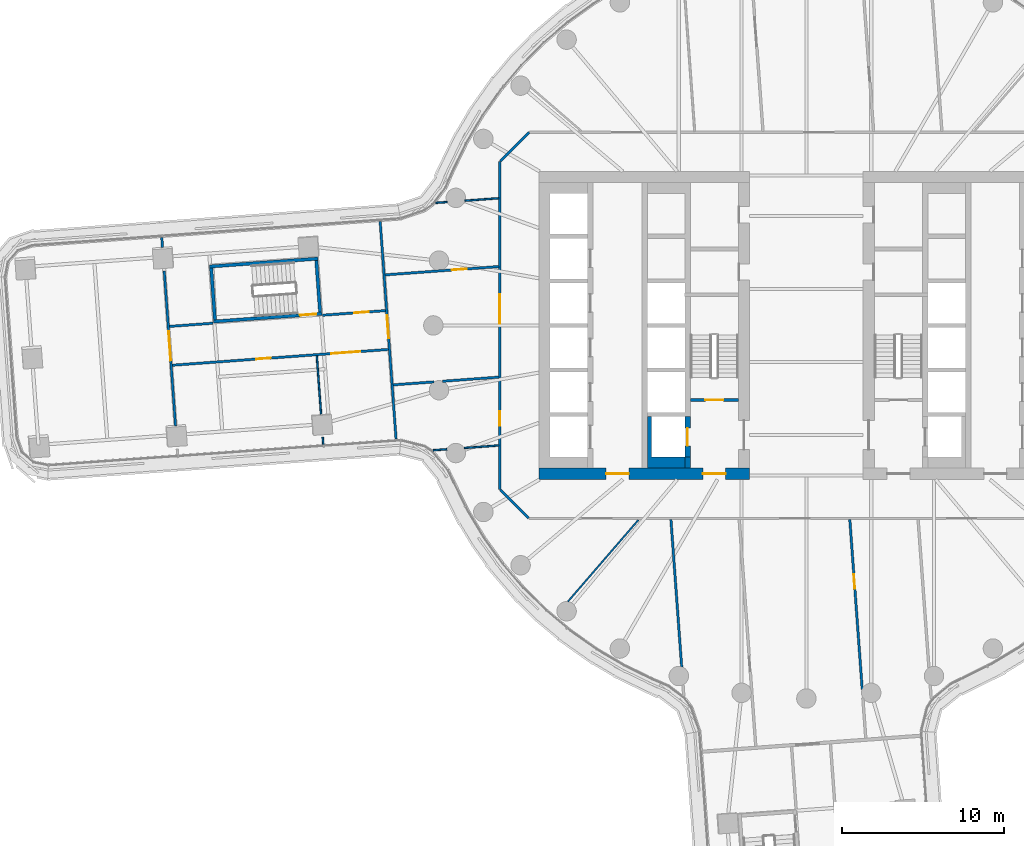
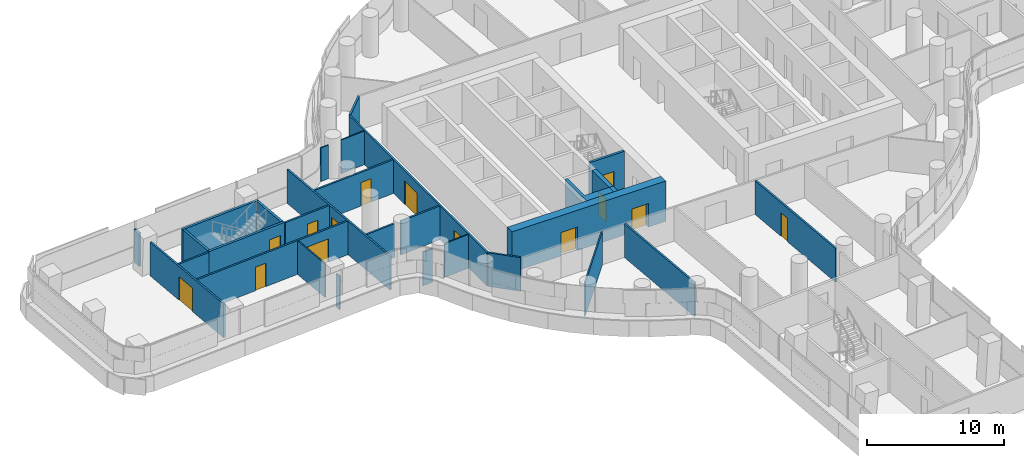
# One storey, part 20 of 31: 30 walls, 14 doors, 14 openings.
"""IFC4 building model written with IfcOpenShell, lengths in metres."""

from ifc_helpers import new_model, si_unit, direction, frame, frame_2d, origin, place, context, subcontext, project, spatial, polyline, rectangle, outline, extrude, material, layer, layer_set, type_object, element, fill, save


model = new_model("IFC4")

# Units and contexts
model_context = context("Model", 3, precision=1e-05, world=origin(), true_north=direction((0.0, 1.0)))
body_context = subcontext(model_context, "Body", "Model", "MODEL_VIEW")
ifc_project = project(units=[si_unit("LENGTHUNIT", "METRE"), si_unit("AREAUNIT", "SQUARE_METRE"), si_unit("VOLUMEUNIT", "CUBIC_METRE"), si_unit("PLANEANGLEUNIT", "RADIAN"), si_unit("MASSUNIT", "GRAM", prefix="KILO")], contexts=[model_context])

# Site, building, storey
site_placement = place(None, origin())
site = spatial("IfcSite", under=ifc_project, at=site_placement, CompositionType="ELEMENT")
building_placement = place(site_placement, origin())
building = spatial("IfcBuilding", under=site, at=building_placement, Name="Tamarind Cross Interchange Tower", CompositionType="ELEMENT")
storey_placement = place(building_placement, frame((0.0, 0.0, 49.0)))
storey = spatial("IfcBuildingStorey", under=building, at=storey_placement, Name="L10", CompositionType="ELEMENT", Elevation=49.0)

# Wall, openings, doors
ifc_material_1 = material(Name="Concrete C80", Category="concrete")
ifc_layer_1 = layer(ifc_material_1, 0.699951171875)
ifc_layer_set_1 = layer_set([ifc_layer_1], Name="Concrete C80")
wall_type_1 = type_object("IfcWallType", Name="Core wall 700 mm Concrete C80", PredefinedType="SHEAR", material=ifc_layer_set_1)
wall_1_placement = place(storey_placement, frame((-16.5, -9.14990234375, 0.0), z_axis=(0.0, 0.0, 1.0), x_axis=(1.0, 0.0, 0.0)))
wall_1 = element("IfcWall", 1, at=wall_1_placement, inside=storey, type_object=wall_type_1, Name="Core wall CWL-L10-W-S", PredefinedType="SHEAR", context=body_context, shape_type="SweptSolid", body=[
    extrude(rectangle(XDim=13.0, YDim=0.699951171875, at=frame_2d((6.5, 0.0))), origin(), (0.0, 0.0, 1.0), 3.610107421875),
])
opening_1_placement = place(wall_1_placement, frame((4.14990234375, 0.0, 0.0)))
opening_1 = element("IfcOpeningElement", 2, at=opening_1_placement, cuts=wall_1, Name="Opening DCW1", PredefinedType="OPENING", context=body_context, shape_type="SweptSolid", body=[
    extrude(rectangle(XDim=1.39990234375, YDim=2.10009765625, at=frame_2d((0.699951171875, 1.050048828125))), frame((0.0, 0.35986328125, 0.0), z_axis=(0.0, -1.0, 0.0), x_axis=(1.0, 0.0, 0.0)), (0.0, 0.0, 1.0), 0.719970703125),
])
opening_2_placement = place(wall_1_placement, frame((10.125, 0.0, 0.0)))
opening_2 = element("IfcOpeningElement", 3, at=opening_2_placement, cuts=wall_1, Name="Opening DCWF", PredefinedType="OPENING", context=body_context, shape_type="SweptSolid", body=[
    extrude(rectangle(XDim=1.39990234375, YDim=2.10009765625, at=frame_2d((0.699951171875, 1.050048828125))), frame((0.0, 0.35986328125, 0.0), z_axis=(0.0, -1.0, 0.0), x_axis=(1.0, 0.0, 0.0)), (0.0, 0.0, 1.0), 0.719970703125),
])
ifc_material_2 = material(Name="Steel, fire-resisting", Category="steel")
door_type_1 = type_object("IfcDoorType", Name="Core fire door 1400 x 2100 FD90", OperationType="SINGLE_SWING_LEFT", PredefinedType="DOOR", material=ifc_material_2)
door_1_placement = place(opening_1_placement, origin())
door_1 = element("IfcDoor", 4, at=door_1_placement, inside=storey, type_object=door_type_1, Name="L10 lift lobby door", OperationType="SINGLE_SWING_LEFT", OverallHeight=2.10009765625, OverallWidth=1.39990234375, PredefinedType="DOOR", context=body_context, shape_type="SweptSolid", body=[
    extrude(rectangle(XDim=1.39990234375, YDim=2.10009765625, at=frame_2d((0.699951171875, 1.050048828125))), frame((0.0, 0.02490234375, 0.0), z_axis=(0.0, -1.0, 0.0), x_axis=(1.0, 0.0, 0.0)), (0.0, 0.0, 1.0), 0.050048828125),
])
fill(opening_1, door_1)
door_2_placement = place(opening_2_placement, origin())
door_2 = element("IfcDoor", 5, at=door_2_placement, inside=storey, type_object=door_type_1, Name="L10 firefighting lobby end door", OperationType="SINGLE_SWING_LEFT", OverallHeight=2.10009765625, OverallWidth=1.39990234375, PredefinedType="DOOR", context=body_context, shape_type="SweptSolid", body=[
    extrude(rectangle(XDim=1.39990234375, YDim=2.10009765625, at=frame_2d((0.699951171875, 1.050048828125))), frame((0.0, 0.02490234375, 0.0), z_axis=(0.0, -1.0, 0.0), x_axis=(1.0, 0.0, 0.0)), (0.0, 0.0, 1.0), 0.050048828125),
])
fill(opening_2, door_2)

# Walls
ifc_layer_2 = layer(ifc_material_1, 0.35009765625)
ifc_layer_set_2 = layer_set([ifc_layer_2], Name="Concrete C80")
wall_type_2 = type_object("IfcWallType", Name="Core web wall 350 mm Concrete C80", PredefinedType="SHEAR", material=ifc_layer_set_2)
wall_2_placement = place(storey_placement, origin())
element("IfcWall", 6, at=wall_2_placement, inside=storey, type_object=wall_type_2, Name="Core wall CWL-L10-W-BS", PredefinedType="SHEAR", context=body_context, shape_type="SweptSolid", body=[
    extrude(outline(polyline([(-7.5, -8.125), (-9.550048828125, -8.125), (-9.550048828125, -5.625), (-9.800048828125, -5.625), (-9.800048828125, -8.125), (-9.800048828125, -8.800048828125), (-7.5, -8.800048828125), (-7.5, -8.125)])), origin(), (0.0, 0.0, 1.0), 3.610107421875),
])
wall_3_placement = place(storey_placement, frame((-7.324951171875, -8.800048828125, 0.0), z_axis=(0.0, 0.0, 1.0), x_axis=(0.0, 1.0, 0.0)))
element("IfcWall", 7, at=wall_3_placement, inside=storey, type_object=wall_type_2, Name="Core wall CWL-L10-W-BW", PredefinedType="SHEAR", context=body_context, shape_type="SweptSolid", body=[
    extrude(rectangle(XDim=0.675048828125, YDim=0.35009765625, at=frame_2d((0.33740234375, 0.0))), origin(), (0.0, 0.0, 1.0), 3.610107421875),
])

# Wall, opening, door
wall_4_placement = place(storey_placement, frame((-7.324951171875, -8.125, 0.0), z_axis=(0.0, 0.0, 1.0), x_axis=(0.0, 1.0, 0.0)))
wall_4 = element("IfcWall", 8, at=wall_4_placement, inside=storey, type_object=wall_type_2, Name="Core wall CWL-L10-W-FF", PredefinedType="SHEAR", context=body_context, shape_type="SweptSolid", body=[
    extrude(rectangle(XDim=2.5, YDim=0.35009765625, at=frame_2d((1.25, 0.0))), origin(), (0.0, 0.0, 1.0), 3.610107421875),
])
opening_3_placement = place(wall_4_placement, frame((0.699951171875, 0.0, 0.0)))
opening_3 = element("IfcOpeningElement", 9, at=opening_3_placement, cuts=wall_4, Name="Opening LD7L10", PredefinedType="OPENING", context=body_context, shape_type="SweptSolid", body=[
    extrude(rectangle(XDim=1.10009765625, YDim=2.10009765625, at=frame_2d((0.550048828125, 1.050048828125))), frame((0.0, 0.18505859375, 0.0), z_axis=(0.0, -1.0, 0.0), x_axis=(1.0, 0.0, 0.0)), (0.0, 0.0, 1.0), 0.3701171875),
])
ifc_material_3 = material(Name="Stainless steel panel", Category="steel")
door_type_2 = type_object("IfcDoorType", Name="Lift landing door 1100 x 2100 E 120", OperationType="SLIDING_TO_LEFT", PredefinedType="DOOR", material=ifc_material_3)
door_3_placement = place(opening_3_placement, origin())
door_3 = element("IfcDoor", 10, at=door_3_placement, inside=storey, type_object=door_type_2, Name="L10 landing door LF7", OperationType="SLIDING_TO_LEFT", OverallHeight=2.10009765625, OverallWidth=1.10009765625, PredefinedType="DOOR", context=body_context, shape_type="SweptSolid", body=[
    extrude(rectangle(XDim=1.10009765625, YDim=2.10009765625, at=frame_2d((0.550048828125, 1.050048828125))), frame((0.0, 0.02490234375, 0.0), z_axis=(0.0, -1.0, 0.0), x_axis=(1.0, 0.0, 0.0)), (0.0, 0.0, 1.0), 0.050048828125),
])
fill(opening_3, door_3)

# Walls
ifc_material_4 = material(Name="Gypsum board partition on steel studs", Category="steel")
ifc_layer_3 = layer(ifc_material_4, 0.10009765625)
ifc_layer_set_3 = layer_set([ifc_layer_3], Name="Gypsum board partition on steel studs")
wall_type_3 = type_object("IfcWallType", Name="Partition 100 mm EI 90", PredefinedType="PARTITIONING", material=ifc_layer_set_3)
wall_5_placement = place(storey_placement, frame((-30.185302734375, -1.86669921875, 0.0), z_axis=(0.0, 0.0, 1.0), x_axis=(0.072798039874, -0.997346702702, 0.0)))
element("IfcWall", 11, at=wall_5_placement, inside=storey, type_object=wall_type_3, Name="Partition L10-004", PredefinedType="PARTITIONING", context=body_context, shape_type="SweptSolid", body=[
    extrude(rectangle(XDim=3.601806640625, YDim=0.10009765625, at=frame_2d((1.80078125, 0.0))), origin(), (0.0, 0.0, 1.0), 3.010009765625),
])
wall_6_placement = place(storey_placement, frame((-29.818603515625, -6.89111328125, 0.0), z_axis=(0.0, 0.0, 1.0), x_axis=(0.07240372951, -0.997375405729, 0.0)))
element("IfcWall", 12, at=wall_6_placement, inside=storey, type_object=wall_type_3, Name="Partition L10-005", PredefinedType="PARTITIONING", context=body_context, shape_type="SweptSolid", body=[
    extrude(rectangle(XDim=0.43505859375, YDim=0.10009765625, at=frame_2d((0.217529296875, 0.0))), origin(), (0.0, 0.0, 1.0), 3.010009765625),
])
wall_7_placement = place(storey_placement, frame((-23.006591796875, -7.69384765625, 0.0), z_axis=(0.0, 0.0, 1.0), x_axis=(0.997348002783, 0.072780226335, 0.0)))
element("IfcWall", 13, at=wall_7_placement, inside=storey, type_object=wall_type_3, Name="Partition L10-047", PredefinedType="PARTITIONING", context=body_context, shape_type="SweptSolid", body=[
    extrude(rectangle(XDim=0.8486328125, YDim=0.10009765625, at=frame_2d((0.42431640625, 0.0))), origin(), (0.0, 0.0, 1.0), 3.010009765625),
])
wall_8_placement = place(storey_placement, frame((-21.092041015625, -7.55419921875, 0.0), z_axis=(0.0, 0.0, 1.0), x_axis=(0.997342635189, 0.072853744132, 0.0)))
element("IfcWall", 14, at=wall_8_placement, inside=storey, type_object=wall_type_3, Name="Partition L10-048", PredefinedType="PARTITIONING", context=body_context, shape_type="SweptSolid", body=[
    extrude(rectangle(XDim=2.137939453125, YDim=0.10009765625, at=frame_2d((1.06884765625, 0.0))), origin(), (0.0, 0.0, 1.0), 3.010009765625),
])
wall_9_placement = place(storey_placement, frame((-22.843017578125, 7.55908203125, 0.0), z_axis=(0.0, 0.0, 1.0), x_axis=(0.997346256242, 0.072804156196, 0.0)))
element("IfcWall", 15, at=wall_9_placement, inside=storey, type_object=wall_type_3, Name="Partition L10-049", PredefinedType="PARTITIONING", context=body_context, shape_type="SweptSolid", body=[
    extrude(rectangle(XDim=0.69091796875, YDim=0.10009765625, at=frame_2d((0.345458984375, 0.0))), origin(), (0.0, 0.0, 1.0), 3.010009765625),
])
wall_10_placement = place(storey_placement, frame((-21.05029296875, 7.68994140625, 0.0), z_axis=(0.0, 0.0, 1.0), x_axis=(0.997346939481, 0.072794795886, 0.0)))
element("IfcWall", 16, at=wall_10_placement, inside=storey, type_object=wall_type_3, Name="Partition L10-050", PredefinedType="PARTITIONING", context=body_context, shape_type="SweptSolid", body=[
    extrude(rectangle(XDim=2.09619140625, YDim=0.10009765625, at=frame_2d((1.048095703125, 0.0))), origin(), (0.0, 0.0, 1.0), 3.010009765625),
])
wall_11_placement = place(storey_placement, frame((-14.7099609375, -17.02880859375, 0.0), z_axis=(0.0, 0.0, 1.0), x_axis=(0.653745883249, 0.756714160126, 0.0)))
element("IfcWall", 17, at=wall_11_placement, inside=storey, type_object=wall_type_3, Name="Partition L10-074", PredefinedType="PARTITIONING", context=body_context, shape_type="SweptSolid", body=[
    extrude(rectangle(XDim=6.657958984375, YDim=0.10009765625, at=frame_2d((3.3291015625, 0.0))), origin(), (0.0, 0.0, 1.0), 3.010009765625),
])
ifc_layer_4 = layer(ifc_material_4, 0.14990234375)
ifc_layer_set_4 = layer_set([ifc_layer_4], Name="Gypsum board partition on steel studs")
wall_type_4 = type_object("IfcWallType", Name="Partition 150 mm EI 120", PredefinedType="PARTITIONING", material=ifc_layer_set_4)
wall_12_placement = place(storey_placement, frame((-39.741943359375, 5.42041015625, 0.0), z_axis=(0.0, 0.0, 1.0), x_axis=(0.072872196648, -0.997341287101, 0.0)))
element("IfcWall", 18, at=wall_12_placement, inside=storey, type_object=wall_type_4, Name="Partition L10-001", PredefinedType="PARTITIONING", context=body_context, shape_type="SweptSolid", body=[
    extrude(rectangle(XDim=0.6298828125, YDim=0.14990234375, at=frame_2d((0.31494140625, 0.0))), origin(), (0.0, 0.0, 1.0), 3.010009765625),
])

# Wall, opening, door
wall_13_placement = place(storey_placement, frame((-39.59130859375, 3.360107421875, 0.0), z_axis=(0.0, 0.0, 1.0), x_axis=(0.072892811658, -0.997339780621, 0.0)))
wall_13 = element("IfcWall", 19, at=wall_13_placement, inside=storey, type_object=wall_type_4, Name="Partition L10-002", PredefinedType="PARTITIONING", context=body_context, shape_type="SweptSolid", body=[
    extrude(rectangle(XDim=9.582275390625, YDim=0.14990234375, at=frame_2d((4.791015625, 0.0))), origin(), (0.0, 0.0, 1.0), 3.010009765625),
])
opening_4_placement = place(wall_13_placement, frame((3.7333984375, 0.0, 0.0)))
opening_4 = element("IfcOpeningElement", 20, at=opening_4_placement, cuts=wall_13, Name="Opening D01", PredefinedType="OPENING", context=body_context, shape_type="SweptSolid", body=[
    extrude(rectangle(XDim=1.800048828125, YDim=2.10009765625, at=frame_2d((0.89990234375, 1.050048828125))), frame((0.0, 0.0849609375, 0.0), z_axis=(0.0, -1.0, 0.0), x_axis=(1.0, 0.0, 0.0)), (0.0, 0.0, 1.0), 0.169921875),
])
ifc_material_5 = material(Name="Fire-resisting door set")
door_type_3 = type_object("IfcDoorType", Name="Interior door 1800 x 2100 FD60S", OperationType="DOUBLE_DOOR_SINGLE_SWING", PredefinedType="DOOR", material=ifc_material_5)
door_4_placement = place(opening_4_placement, frame((1.800048828125, 0.0, 0.0), z_axis=(0.0, 0.0, 1.0), x_axis=(-1.0, 0.0, 0.0)))
door_4 = element("IfcDoor", 21, at=door_4_placement, inside=storey, type_object=door_type_3, Name="Door D01", OperationType="DOUBLE_DOOR_SINGLE_SWING", OverallHeight=2.10009765625, OverallWidth=1.800048828125, PredefinedType="DOOR", context=body_context, shape_type="SweptSolid", body=[
    extrude(rectangle(XDim=1.800048828125, YDim=2.10009765625, at=frame_2d((0.89990234375, 1.050048828125))), frame((0.0, 0.02490234375, 0.0), z_axis=(0.0, -1.0, 0.0), x_axis=(1.0, 0.0, 0.0)), (0.0, 0.0, 1.0), 0.050048828125),
])
fill(opening_4, door_4)

wall_14_placement = place(storey_placement, frame((-26.27783203125, 6.404296875, 0.0), z_axis=(0.0, 0.0, 1.0), x_axis=(0.072894593347, -0.9973396504, 0.0)))
wall_14 = element("IfcWall", 22, at=wall_14_placement, inside=storey, type_object=wall_type_4, Name="Partition L10-006", PredefinedType="PARTITIONING", context=body_context, shape_type="SweptSolid", body=[
    extrude(rectangle(XDim=13.447265625, YDim=0.14990234375, at=frame_2d((6.7236328125, 0.0))), origin(), (0.0, 0.0, 1.0), 3.010009765625),
])
opening_5_placement = place(wall_14_placement, frame((5.798828125, 0.0, 0.0)))
opening_5 = element("IfcOpeningElement", 23, at=opening_5_placement, cuts=wall_14, Name="Opening D02", PredefinedType="OPENING", context=body_context, shape_type="SweptSolid", body=[
    extrude(rectangle(XDim=1.39990234375, YDim=2.10009765625, at=frame_2d((0.699951171875, 1.050048828125))), frame((0.0, 0.0849609375, 0.0), z_axis=(0.0, -1.0, 0.0), x_axis=(1.0, 0.0, 0.0)), (0.0, 0.0, 1.0), 0.169921875),
])
door_type_4 = type_object("IfcDoorType", Name="Interior door 1400 x 2100 FD60S", OperationType="DOUBLE_DOOR_SINGLE_SWING", PredefinedType="DOOR", material=ifc_material_5)
door_5_placement = place(opening_5_placement, origin())
door_5 = element("IfcDoor", 24, at=door_5_placement, inside=storey, type_object=door_type_4, Name="Door D02", OperationType="DOUBLE_DOOR_SINGLE_SWING", OverallHeight=2.10009765625, OverallWidth=1.39990234375, PredefinedType="DOOR", context=body_context, shape_type="SweptSolid", body=[
    extrude(rectangle(XDim=1.39990234375, YDim=2.10009765625, at=frame_2d((0.699951171875, 1.050048828125))), frame((0.0, 0.02490234375, 0.0), z_axis=(0.0, -1.0, 0.0), x_axis=(1.0, 0.0, 0.0)), (0.0, 0.0, 1.0), 0.050048828125),
])
fill(opening_5, door_5)

# Wall
wall_15_placement = place(storey_placement, frame((-8.353271484375, -11.96484375, 0.0), z_axis=(0.0, 0.0, 1.0), x_axis=(0.072816342266, -0.99734536661, 0.0)))
element("IfcWall", 25, at=wall_15_placement, inside=storey, type_object=wall_type_4, Name="Partition L10-009", PredefinedType="PARTITIONING", context=body_context, shape_type="SweptSolid", body=[
    extrude(rectangle(XDim=9.109619140625, YDim=0.14990234375, at=frame_2d((4.5546875, 0.0))), origin(), (0.0, 0.0, 1.0), 3.010009765625),
])

# Wall, opening, door
wall_16_placement = place(storey_placement, frame((2.67578125, -11.96484375, 0.0), z_axis=(0.0, 0.0, 1.0), x_axis=(0.072891027417, -0.997339911024, 0.0)))
wall_16 = element("IfcWall", 26, at=wall_16_placement, inside=storey, type_object=wall_type_4, Name="Partition L10-021", PredefinedType="PARTITIONING", context=body_context, shape_type="SweptSolid", body=[
    extrude(rectangle(XDim=10.500244140625, YDim=0.14990234375, at=frame_2d((5.25, 0.0))), origin(), (0.0, 0.0, 1.0), 3.010009765625),
])
opening_6_placement = place(wall_16_placement, frame((3.385009765625, 0.0, 0.0)))
opening_6 = element("IfcOpeningElement", 27, at=opening_6_placement, cuts=wall_16, Name="Opening D13", PredefinedType="OPENING", context=body_context, shape_type="SweptSolid", body=[
    extrude(rectangle(XDim=0.89990234375, YDim=2.10009765625, at=frame_2d((0.449951171875, 1.050048828125))), frame((0.0, 0.0849609375, 0.0), z_axis=(0.0, -1.0, 0.0), x_axis=(1.0, 0.0, 0.0)), (0.0, 0.0, 1.0), 0.169921875),
])
door_type_5 = type_object("IfcDoorType", Name="Interior door 900 x 2100 FD60S", OperationType="SINGLE_SWING_LEFT", PredefinedType="DOOR", material=ifc_material_5)
door_6_placement = place(opening_6_placement, origin())
door_6 = element("IfcDoor", 28, at=door_6_placement, inside=storey, type_object=door_type_5, Name="Door D13", OperationType="SINGLE_SWING_RIGHT", OverallHeight=2.10009765625, OverallWidth=0.89990234375, PredefinedType="DOOR", context=body_context, shape_type="SweptSolid", body=[
    extrude(rectangle(XDim=0.89990234375, YDim=2.10009765625, at=frame_2d((0.449951171875, 1.050048828125))), frame((0.0, 0.02490234375, 0.0), z_axis=(0.0, -1.0, 0.0), x_axis=(1.0, 0.0, 0.0)), (0.0, 0.0, 1.0), 0.050048828125),
])
fill(opening_6, door_6)

# Walls
wall_17_placement = place(storey_placement, frame((-18.87158203125, -10.12841796875, 0.0), z_axis=(0.0, 0.0, 1.0), x_axis=(0.707106781187, -0.707106781187, 0.0)))
element("IfcWall", 29, at=wall_17_placement, inside=storey, type_object=wall_type_4, Name="Partition L10-035", PredefinedType="PARTITIONING", context=body_context, shape_type="SweptSolid", body=[
    extrude(rectangle(XDim=2.465087890625, YDim=0.14990234375, at=frame_2d((1.232421875, 0.0))), origin(), (0.0, 0.0, 1.0), 3.010009765625),
])
wall_18_placement = place(storey_placement, frame((-39.271240234375, -0.058837890625, 0.0), z_axis=(0.0, 0.0, 1.0), x_axis=(0.997340325575, 0.072885355063, 0.0)))
element("IfcWall", 30, at=wall_18_placement, inside=storey, type_object=wall_type_4, Name="Partition L10-041", PredefinedType="PARTITIONING", context=body_context, shape_type="SweptSolid", body=[
    extrude(rectangle(XDim=2.689697265625, YDim=0.14990234375, at=frame_2d((1.3447265625, 0.0))), origin(), (0.0, 0.0, 1.0), 3.010009765625),
])

# Wall, opening, door
wall_19_placement = place(storey_placement, frame((-29.826904296875, 0.63134765625, 0.0), z_axis=(0.0, 0.0, 1.0), x_axis=(0.997342405477, 0.072856888741, 0.0)))
wall_19 = element("IfcWall", 31, at=wall_19_placement, inside=storey, type_object=wall_type_4, Name="Partition L10-042", PredefinedType="PARTITIONING", context=body_context, shape_type="SweptSolid", body=[
    extrude(rectangle(XDim=3.890380859375, YDim=0.14990234375, at=frame_2d((1.9453125, 0.0))), origin(), (0.0, 0.0, 1.0), 3.010009765625),
])
opening_7_placement = place(wall_19_placement, frame((1.949951171875, 0.0, 0.0)))
opening_7 = element("IfcOpeningElement", 32, at=opening_7_placement, cuts=wall_19, Name="Opening D24", PredefinedType="OPENING", context=body_context, shape_type="SweptSolid", body=[
    extrude(rectangle(XDim=0.89990234375, YDim=2.10009765625, at=frame_2d((0.449951171875, 1.050048828125))), frame((0.0, 0.0849609375, 0.0), z_axis=(0.0, -1.0, 0.0), x_axis=(1.0, 0.0, 0.0)), (0.0, 0.0, 1.0), 0.169921875),
])
door_7_placement = place(opening_7_placement, origin())
door_7 = element("IfcDoor", 33, at=door_7_placement, inside=storey, type_object=door_type_5, Name="Door D24", OperationType="SINGLE_SWING_LEFT", OverallHeight=2.10009765625, OverallWidth=0.89990234375, PredefinedType="DOOR", context=body_context, shape_type="SweptSolid", body=[
    extrude(rectangle(XDim=0.89990234375, YDim=2.10009765625, at=frame_2d((0.449951171875, 1.050048828125))), frame((0.0, 0.02490234375, 0.0), z_axis=(0.0, -1.0, 0.0), x_axis=(1.0, 0.0, 0.0)), (0.0, 0.0, 1.0), 0.050048828125),
])
fill(opening_7, door_7)

# Wall, openings, doors
wall_20_placement = place(storey_placement, frame((-39.09716796875, -2.452880859375, 0.0), z_axis=(0.0, 0.0, 1.0), x_axis=(0.997340012598, 0.072889637607, 0.0)))
wall_20 = element("IfcWall", 34, at=wall_20_placement, inside=storey, type_object=wall_type_4, Name="Partition L10-043", PredefinedType="PARTITIONING", context=body_context, shape_type="SweptSolid", body=[
    extrude(rectangle(XDim=13.361083984375, YDim=0.14990234375, at=frame_2d((6.6806640625, 0.0))), origin(), (0.0, 0.0, 1.0), 3.010009765625),
])
opening_8_placement = place(wall_20_placement, frame((5.179931640625, 0.0, 0.0)))
opening_8 = element("IfcOpeningElement", 35, at=opening_8_placement, cuts=wall_20, Name="Opening D25", PredefinedType="OPENING", context=body_context, shape_type="SweptSolid", body=[
    extrude(rectangle(XDim=0.89990234375, YDim=2.10009765625, at=frame_2d((0.449951171875, 1.050048828125))), frame((0.0, 0.0849609375, 0.0), z_axis=(0.0, -1.0, 0.0), x_axis=(1.0, 0.0, 0.0)), (0.0, 0.0, 1.0), 0.169921875),
])
opening_9_placement = place(wall_20_placement, frame((9.830810546875, 0.0, 0.0)))
opening_9 = element("IfcOpeningElement", 36, at=opening_9_placement, cuts=wall_20, Name="Opening D26", PredefinedType="OPENING", context=body_context, shape_type="SweptSolid", body=[
    extrude(rectangle(XDim=1.800048828125, YDim=2.10009765625, at=frame_2d((0.89990234375, 1.050048828125))), frame((0.0, 0.0849609375, 0.0), z_axis=(0.0, -1.0, 0.0), x_axis=(1.0, 0.0, 0.0)), (0.0, 0.0, 1.0), 0.169921875),
])
door_8_placement = place(opening_9_placement, frame((1.800048828125, 0.0, 0.0), z_axis=(0.0, 0.0, 1.0), x_axis=(-1.0, 0.0, 0.0)))
door_8 = element("IfcDoor", 37, at=door_8_placement, inside=storey, type_object=door_type_3, Name="Door D26", OperationType="DOUBLE_DOOR_SINGLE_SWING", OverallHeight=2.10009765625, OverallWidth=1.800048828125, PredefinedType="DOOR", context=body_context, shape_type="SweptSolid", body=[
    extrude(rectangle(XDim=1.800048828125, YDim=2.10009765625, at=frame_2d((0.89990234375, 1.050048828125))), frame((0.0, 0.02490234375, 0.0), z_axis=(0.0, -1.0, 0.0), x_axis=(1.0, 0.0, 0.0)), (0.0, 0.0, 1.0), 0.050048828125),
])
fill(opening_9, door_8)
door_9_placement = place(opening_8_placement, frame((0.89990234375, 0.0, 0.0), z_axis=(0.0, 0.0, 1.0), x_axis=(-1.0, 0.0, 0.0)))
door_9 = element("IfcDoor", 38, at=door_9_placement, inside=storey, type_object=door_type_5, Name="Door D25", OperationType="SINGLE_SWING_LEFT", OverallHeight=2.10009765625, OverallWidth=0.89990234375, PredefinedType="DOOR", context=body_context, shape_type="SweptSolid", body=[
    extrude(rectangle(XDim=0.89990234375, YDim=2.10009765625, at=frame_2d((0.449951171875, 1.050048828125))), frame((0.0, 0.02490234375, 0.0), z_axis=(0.0, -1.0, 0.0), x_axis=(1.0, 0.0, 0.0)), (0.0, 0.0, 1.0), 0.050048828125),
])
fill(opening_8, door_9)

# Wall, opening, door
wall_21_placement = place(storey_placement, frame((-25.96826171875, 3.119140625, 0.0), z_axis=(0.0, 0.0, 1.0), x_axis=(0.997336191708, 0.07294189954, 0.0)))
wall_21 = element("IfcWall", 39, at=wall_21_placement, inside=storey, type_object=wall_type_4, Name="Partition L10-044", PredefinedType="PARTITIONING", context=body_context, shape_type="SweptSolid", body=[
    extrude(rectangle(XDim=7.022216796875, YDim=0.14990234375, at=frame_2d((3.51123046875, 0.0))), origin(), (0.0, 0.0, 1.0), 3.010009765625),
])
opening_10_placement = place(wall_21_placement, frame((4.1298828125, 0.0, 0.0)))
opening_10 = element("IfcOpeningElement", 40, at=opening_10_placement, cuts=wall_21, Name="Opening D27", PredefinedType="OPENING", context=body_context, shape_type="SweptSolid", body=[
    extrude(rectangle(XDim=0.89990234375, YDim=2.10009765625, at=frame_2d((0.449951171875, 1.050048828125))), frame((0.0, 0.0849609375, 0.0), z_axis=(0.0, -1.0, 0.0), x_axis=(1.0, 0.0, 0.0)), (0.0, 0.0, 1.0), 0.169921875),
])
door_10_placement = place(opening_10_placement, origin())
door_10 = element("IfcDoor", 41, at=door_10_placement, inside=storey, type_object=door_type_5, Name="Door D27", OperationType="SINGLE_SWING_LEFT", OverallHeight=2.10009765625, OverallWidth=0.89990234375, PredefinedType="DOOR", context=body_context, shape_type="SweptSolid", body=[
    extrude(rectangle(XDim=0.89990234375, YDim=2.10009765625, at=frame_2d((0.449951171875, 1.050048828125))), frame((0.0, 0.02490234375, 0.0), z_axis=(0.0, -1.0, 0.0), x_axis=(1.0, 0.0, 0.0)), (0.0, 0.0, 1.0), 0.050048828125),
])
fill(opening_10, door_10)

# Walls
wall_22_placement = place(storey_placement, frame((-25.47216796875, -3.662841796875, 0.0), z_axis=(0.0, 0.0, 1.0), x_axis=(0.997346837162, 0.072796197716, 0.0)))
element("IfcWall", 42, at=wall_22_placement, inside=storey, type_object=wall_type_4, Name="Partition L10-045", PredefinedType="PARTITIONING", context=body_context, shape_type="SweptSolid", body=[
    extrude(rectangle(XDim=2.508544921875, YDim=0.14990234375, at=frame_2d((1.25439453125, 0.0))), origin(), (0.0, 0.0, 1.0), 3.010009765625),
])
wall_23_placement = place(storey_placement, frame((-22.4365234375, -3.441162109375, 0.0), z_axis=(0.0, 0.0, 1.0), x_axis=(0.99734640783, 0.072802079559, 0.0)))
element("IfcWall", 43, at=wall_23_placement, inside=storey, type_object=wall_type_4, Name="Partition L10-046", PredefinedType="PARTITIONING", context=body_context, shape_type="SweptSolid", body=[
    extrude(rectangle(XDim=3.48095703125, YDim=0.14990234375, at=frame_2d((1.740478515625, 0.0))), origin(), (0.0, 0.0, 1.0), 3.010009765625),
])
wall_24_placement = place(storey_placement, frame((-18.87158203125, 10.12841796875, 0.0), z_axis=(0.0, 0.0, 1.0), x_axis=(0.707106781187, 0.707106781187, 0.0)))
element("IfcWall", 44, at=wall_24_placement, inside=storey, type_object=wall_type_4, Name="Partition L10-072", PredefinedType="PARTITIONING", context=body_context, shape_type="SweptSolid", body=[
    extrude(rectangle(XDim=2.50537109375, YDim=0.14990234375, at=frame_2d((1.252685546875, 0.0))), origin(), (0.0, 0.0, 1.0), 3.010009765625),
])

# Wall, openings, doors
wall_25_placement = place(storey_placement, frame((-18.89990234375, -10.10009765625, 0.0), z_axis=(0.0, 0.0, 1.0), x_axis=(0.0, 1.0, 0.0)))
wall_25 = element("IfcWall", 45, at=wall_25_placement, inside=storey, type_object=wall_type_4, Name="Partition L10-076", PredefinedType="PARTITIONING", context=body_context, shape_type="SweptSolid", body=[
    extrude(rectangle(XDim=20.2001953125, YDim=0.14990234375, at=frame_2d((10.10009765625, 0.0))), origin(), (0.0, 0.0, 1.0), 3.010009765625),
])
opening_11_placement = place(wall_25_placement, frame((10.217041015625, 0.0, 0.0)))
opening_11 = element("IfcOpeningElement", 46, at=opening_11_placement, cuts=wall_25, Name="Opening D37", PredefinedType="OPENING", context=body_context, shape_type="SweptSolid", body=[
    extrude(rectangle(XDim=1.800048828125, YDim=2.10009765625, at=frame_2d((0.89990234375, 1.050048828125))), frame((0.0, 0.0849609375, 0.0), z_axis=(0.0, -1.0, 0.0), x_axis=(1.0, 0.0, 0.0)), (0.0, 0.0, 1.0), 0.169921875),
])
opening_12_placement = place(wall_25_placement, frame((3.906005859375, 0.0, 0.0)))
opening_12 = element("IfcOpeningElement", 47, at=opening_12_placement, cuts=wall_25, Name="Opening D38", PredefinedType="OPENING", context=body_context, shape_type="SweptSolid", body=[
    extrude(rectangle(XDim=0.89990234375, YDim=2.10009765625, at=frame_2d((0.449951171875, 1.050048828125))), frame((0.0, 0.0849609375, 0.0), z_axis=(0.0, -1.0, 0.0), x_axis=(1.0, 0.0, 0.0)), (0.0, 0.0, 1.0), 0.169921875),
])
door_11_placement = place(opening_11_placement, frame((1.800048828125, 0.0, 0.0), z_axis=(0.0, 0.0, 1.0), x_axis=(-1.0, 0.0, 0.0)))
door_11 = element("IfcDoor", 48, at=door_11_placement, inside=storey, type_object=door_type_3, Name="Door D37", OperationType="DOUBLE_DOOR_SINGLE_SWING", OverallHeight=2.10009765625, OverallWidth=1.800048828125, PredefinedType="DOOR", context=body_context, shape_type="SweptSolid", body=[
    extrude(rectangle(XDim=1.800048828125, YDim=2.10009765625, at=frame_2d((0.89990234375, 1.050048828125))), frame((0.0, 0.02490234375, 0.0), z_axis=(0.0, -1.0, 0.0), x_axis=(1.0, 0.0, 0.0)), (0.0, 0.0, 1.0), 0.050048828125),
])
fill(opening_11, door_11)
door_12_placement = place(opening_12_placement, origin())
door_12 = element("IfcDoor", 49, at=door_12_placement, inside=storey, type_object=door_type_5, Name="Door D38", OperationType="SINGLE_SWING_RIGHT", OverallHeight=2.10009765625, OverallWidth=0.89990234375, PredefinedType="DOOR", context=body_context, shape_type="SweptSolid", body=[
    extrude(rectangle(XDim=0.89990234375, YDim=2.10009765625, at=frame_2d((0.449951171875, 1.050048828125))), frame((0.0, 0.02490234375, 0.0), z_axis=(0.0, -1.0, 0.0), x_axis=(1.0, 0.0, 0.0)), (0.0, 0.0, 1.0), 0.050048828125),
])
fill(opening_12, door_12)

# Wall, opening, door
ifc_material_6 = material(Name="Concrete C40", Category="concrete")
ifc_layer_5 = layer(ifc_material_6, 0.199951171875)
ifc_layer_set_5 = layer_set([ifc_layer_5], Name="Concrete C40")
wall_type_5 = type_object("IfcWallType", Name="Stair shaft wall 200 mm Concrete C40", PredefinedType="SHEAR", material=ifc_layer_set_5)
wall_26_placement = place(storey_placement, frame((-7.14990234375, -4.60009765625, 0.0), z_axis=(0.0, 0.0, 1.0), x_axis=(1.0, 0.0, 0.0)))
wall_26 = element("IfcWall", 50, at=wall_26_placement, inside=storey, type_object=wall_type_5, Name="Core wall CWL-L10-W-SD", PredefinedType="SHEAR", context=body_context, shape_type="SweptSolid", body=[
    extrude(rectangle(XDim=2.949951171875, YDim=0.199951171875, at=frame_2d((1.47509765625, 0.0))), origin(), (0.0, 0.0, 1.0), 3.610107421875),
])
opening_13_placement = place(wall_26_placement, frame((0.925048828125, 0.0, 0.0)))
opening_13 = element("IfcOpeningElement", 51, at=opening_13_placement, cuts=wall_26, Name="Opening DCW6", PredefinedType="OPENING", context=body_context, shape_type="SweptSolid", body=[
    extrude(rectangle(XDim=1.10009765625, YDim=2.10009765625, at=frame_2d((0.550048828125, 1.050048828125))), frame((0.0, 0.10986328125, 0.0), z_axis=(0.0, -1.0, 0.0), x_axis=(1.0, 0.0, 0.0)), (0.0, 0.0, 1.0), 0.219970703125),
])
door_type_6 = type_object("IfcDoorType", Name="Core fire door 1100 x 2100 FD90", OperationType="SINGLE_SWING_LEFT", PredefinedType="DOOR", material=ifc_material_2)
door_13_placement = place(opening_13_placement, origin())
door_13 = element("IfcDoor", 52, at=door_13_placement, inside=storey, type_object=door_type_6, Name="L10 stair door", OperationType="SINGLE_SWING_LEFT", OverallHeight=2.10009765625, OverallWidth=1.10009765625, PredefinedType="DOOR", context=body_context, shape_type="SweptSolid", body=[
    extrude(rectangle(XDim=1.10009765625, YDim=2.10009765625, at=frame_2d((0.550048828125, 1.050048828125))), frame((0.0, 0.02490234375, 0.0), z_axis=(0.0, -1.0, 0.0), x_axis=(1.0, 0.0, 0.0)), (0.0, 0.0, 1.0), 0.050048828125),
])
fill(opening_13, door_13)

wall_27_placement = place(storey_placement, frame((-29.8740234375, 0.72802734375, -0.139892578125), z_axis=(0.0, 0.0, 1.0), x_axis=(-0.997340834197, -0.072878394899, 0.0)))
wall_27 = element("IfcWall", 53, at=wall_27_placement, inside=storey, type_object=wall_type_5, Name="Core wall CWL-L10-ST5-H", PredefinedType="SHEAR", context=body_context, shape_type="SweptSolid", body=[
    extrude(rectangle(XDim=6.699951171875, YDim=0.199951171875, at=frame_2d((3.35009765625, 0.0))), origin(), (0.0, 0.0, 1.0), 3.14990234375),
])
opening_14_placement = place(wall_27_placement, frame((0.35009765625, 0.0, 0.0)))
opening_14 = element("IfcOpeningElement", 54, at=opening_14_placement, cuts=wall_27, Name="Opening ST5L10", PredefinedType="OPENING", context=body_context, shape_type="SweptSolid", body=[
    extrude(rectangle(XDim=1.0, YDim=2.10009765625, at=frame_2d((0.5, 1.050048828125))), frame((0.0, 0.10986328125, 0.0), z_axis=(0.0, -1.0, 0.0), x_axis=(1.0, 0.0, 0.0)), (0.0, 0.0, 1.0), 0.219970703125),
])
door_type_7 = type_object("IfcDoorType", Name="Core fire door 1000 x 2100 FD90", OperationType="SINGLE_SWING_LEFT", PredefinedType="DOOR", material=ifc_material_2)
door_14_placement = place(opening_14_placement, origin())
door_14 = element("IfcDoor", 55, at=door_14_placement, inside=storey, type_object=door_type_7, Name="L10 stair door ST5", OperationType="SINGLE_SWING_LEFT", OverallHeight=2.10009765625, OverallWidth=1.0, PredefinedType="DOOR", context=body_context, shape_type="SweptSolid", body=[
    extrude(rectangle(XDim=1.0, YDim=2.10009765625, at=frame_2d((0.5, 1.050048828125))), frame((0.0, 0.02490234375, 0.0), z_axis=(0.0, -1.0, 0.0), x_axis=(1.0, 0.0, 0.0)), (0.0, 0.0, 1.0), 0.050048828125),
])
fill(opening_14, door_14)

# Walls
wall_28_placement = place(storey_placement, frame((-30.121826171875, 4.119140625, -0.139892578125), z_axis=(0.0, 0.0, 1.0), x_axis=(-0.997340834197, -0.072878394899, 0.0)))
element("IfcWall", 56, at=wall_28_placement, inside=storey, type_object=wall_type_5, Name="Core wall CWL-L10-ST5-C", PredefinedType="SHEAR", context=body_context, shape_type="SweptSolid", body=[
    extrude(rectangle(XDim=6.699951171875, YDim=0.199951171875, at=frame_2d((3.35009765625, 0.0))), origin(), (0.0, 0.0, 1.0), 3.14990234375),
])
wall_29_placement = place(storey_placement, frame((-30.214111328125, 4.011962890625, -0.139892578125), z_axis=(0.0, 0.0, 1.0), x_axis=(0.072862728718, -0.997341978844, 0.0)))
element("IfcWall", 57, at=wall_29_placement, inside=storey, type_object=wall_type_5, Name="Core wall CWL-L10-ST5-CE", PredefinedType="SHEAR", context=body_context, shape_type="SweptSolid", body=[
    extrude(rectangle(XDim=3.199951171875, YDim=0.199951171875, at=frame_2d((1.60009765625, 0.0))), origin(), (0.0, 0.0, 1.0), 3.14990234375),
])
wall_30_placement = place(storey_placement, frame((0.0, 0.0, -0.139892578125)))
element("IfcWall", 58, at=wall_30_placement, inside=storey, type_object=wall_type_5, Name="Core wall CWL-L10-ST5-CF", PredefinedType="SHEAR", context=body_context, shape_type="SweptSolid", body=[
    extrude(outline(polyline([(-36.59716796875, 3.545654296875), (-36.796630859375, 3.531005859375), (-36.5634765625, 0.339599609375), (-36.364013671875, 0.35400390625), (-36.59716796875, 3.545654296875)])), origin(), (0.0, 0.0, 1.0), 3.14990234375),
])

save(model, "model.ifc")
